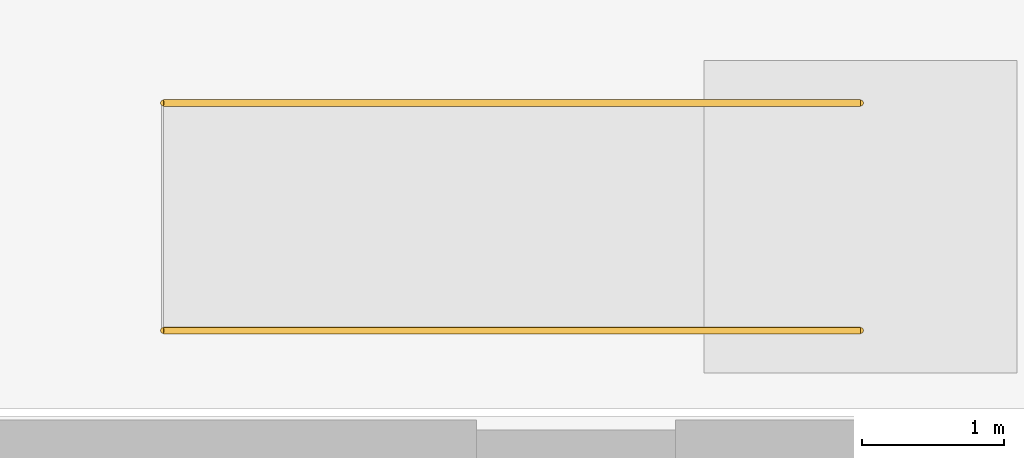
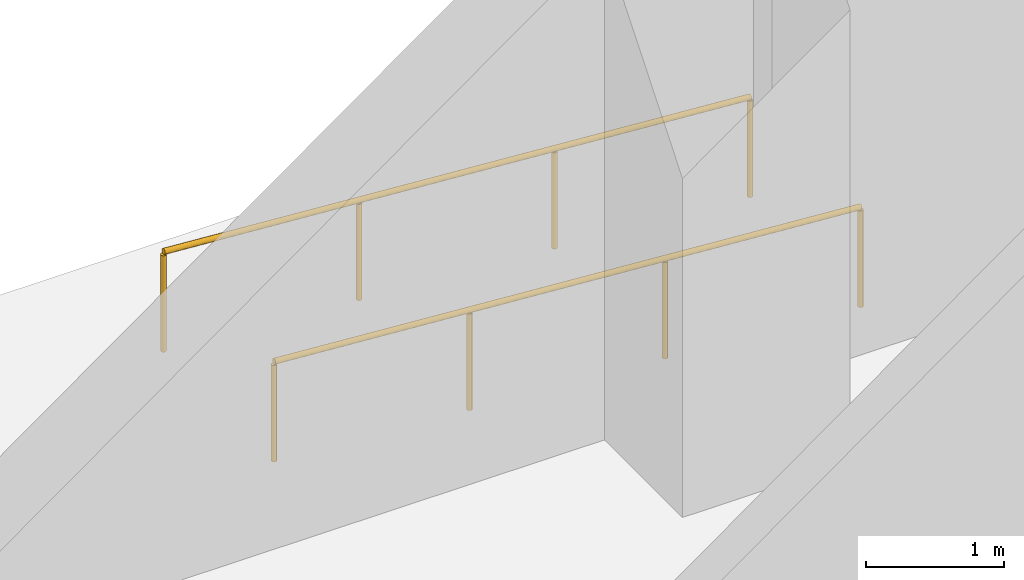
# One storey, part 30 of 31: 2 railings.
"""IFC4 building model written with IfcOpenShell, lengths in metres."""

from ifc_helpers import new_model, si_unit, direction, frame, origin, origin_2d, place, context, subcontext, project, spatial, circle, extrude, material, type_object, element, save


model = new_model("IFC4")

# Units and contexts
model_context = context("Model", 3, precision=1e-05, world=origin(), true_north=direction((0.0, 1.0)))
body_context = subcontext(model_context, "Body", "Model", "MODEL_VIEW")
ifc_project = project(units=[si_unit("LENGTHUNIT", "METRE"), si_unit("AREAUNIT", "SQUARE_METRE"), si_unit("VOLUMEUNIT", "CUBIC_METRE"), si_unit("PLANEANGLEUNIT", "RADIAN"), si_unit("MASSUNIT", "GRAM", prefix="KILO")], contexts=[model_context])

# Site, building, storey
site_placement = place(None, origin())
site = spatial("IfcSite", under=ifc_project, at=site_placement, CompositionType="ELEMENT")
building_placement = place(site_placement, origin())
building = spatial("IfcBuilding", under=site, at=building_placement, Name="Soratama Intermodal Tower", CompositionType="ELEMENT")
storey_placement = place(building_placement, origin())
storey = spatial("IfcBuildingStorey", under=building, at=storey_placement, Name="L00", CompositionType="ELEMENT", Elevation=0.0)

# Railings
ifc_material = material(Name="Brushed stainless steel handrail", Category="steel")
railing_type = type_object("IfcRailingType", Name="RL-STAIR-HAND", PredefinedType="HANDRAIL", material=ifc_material)
for number, where, name in (
    (1, (66.0, 48.60009765625, -0.35009765625), "L00 Accessible Ramp Handrail N2 A"),
    (2, (66.0, 50.199951171875, -0.35009765625), "L00 Accessible Ramp Handrail N2 B"),
):
    element("IfcRailing", number, at=place(storey_placement, frame(where)), inside=storey, type_object=railing_type, Name=name, PredefinedType="HANDRAIL", context=body_context, shape_type="SweptSolid", body=[
        extrude(circle(Radius=0.02392578125, at=origin_2d()), frame((0.0, 0.0, 0.8759765625), z_axis=(-0.997457185933, 0.0, 0.071268241387), x_axis=(0.0, -1.0, 0.0)), (0.0, 0.0, 1.0), 4.912353515625),
        extrude(circle(Radius=0.02099609375, at=origin_2d()), origin(), (0.0, 0.0, 1.0), 0.851806640625),
        extrude(circle(Radius=0.02099609375, at=origin_2d()), frame((-1.63330078125, 0.0, 0.11669921875)), (0.0, 0.0, 1.0), 0.851806640625),
        extrude(circle(Radius=0.02099609375, at=origin_2d()), frame((-3.2666015625, 0.0, 0.2333984375)), (0.0, 0.0, 1.0), 0.851806640625),
        extrude(circle(Radius=0.02099609375, at=origin_2d()), frame((-4.89990234375, 0.0, 0.35009765625)), (0.0, 0.0, 1.0), 0.851806640625),
    ])

save(model, "model.ifc")
